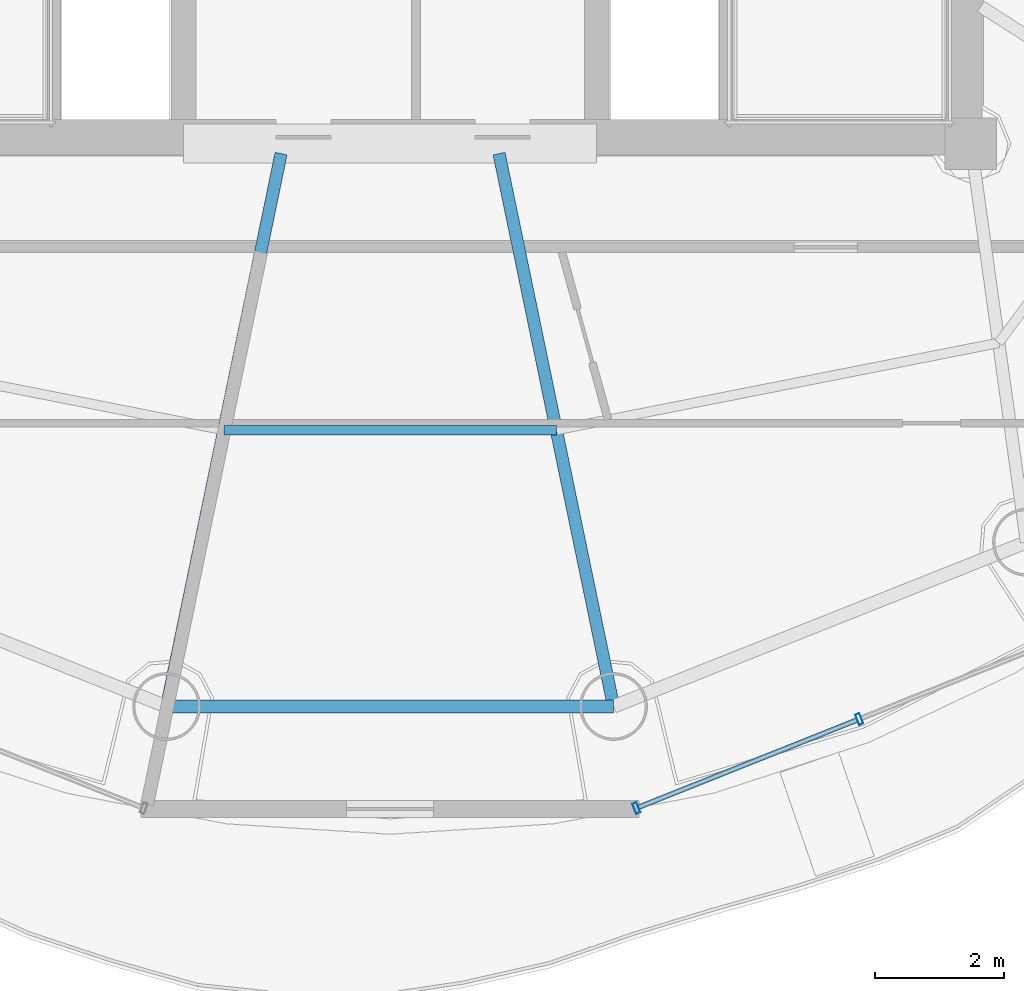
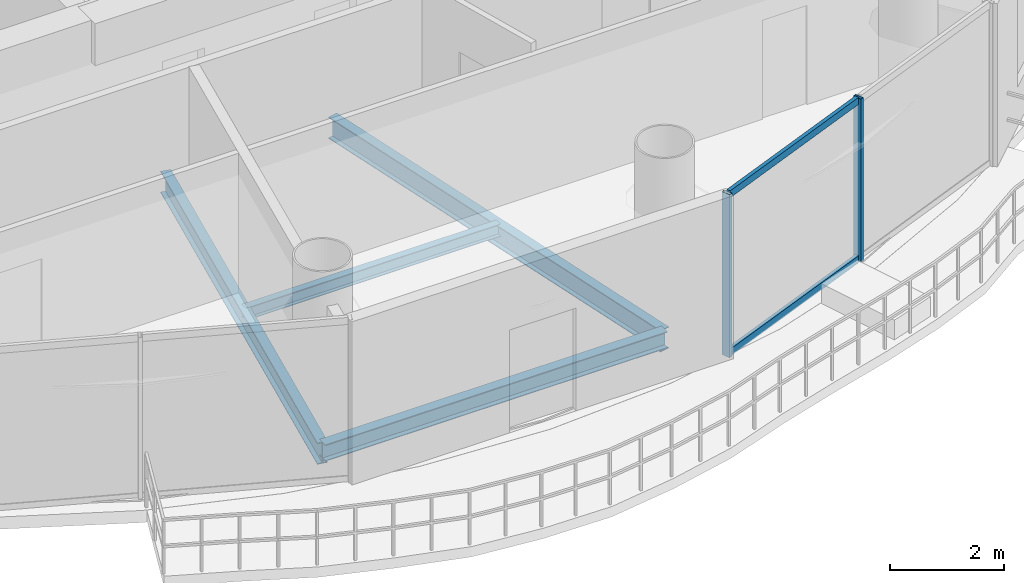
# One storey, part 4 of 21: 4 beams, 4 members, 1 element without a shape of its own.
"""IFC4 building model written with IfcOpenShell, lengths in metres."""

from ifc_helpers import new_model, si_unit, direction, frame, origin, origin_2d, place, context, subcontext, project, spatial, hollow_rectangle, i_section, extrude, source, transform, mapped, material, material_profile, profile_set, type_object, element, aggregate, save


model = new_model("IFC4")

# Units and contexts
model_context = context("Model", 3, precision=1e-05, world=origin(), true_north=direction((-0.2419218956, 0.970295726276)))
body_context = subcontext(model_context, "Body", "Model", "MODEL_VIEW")
ifc_project = project(units=[si_unit("LENGTHUNIT", "METRE"), si_unit("AREAUNIT", "SQUARE_METRE"), si_unit("VOLUMEUNIT", "CUBIC_METRE"), si_unit("PLANEANGLEUNIT", "RADIAN"), si_unit("MASSUNIT", "GRAM", prefix="KILO")], contexts=[model_context])

# Site, building, storey
site_placement = place(None, origin())
site = spatial("IfcSite", under=ifc_project, at=site_placement, CompositionType="ELEMENT")
building_placement = place(site_placement, origin())
building = spatial("IfcBuilding", under=site, at=building_placement, Name="Cobrevalo Terracotta Tower", CompositionType="ELEMENT")
storey_placement = place(building_placement, frame((0.0, 0.0, 285.699951171875)))
storey = spatial("IfcBuildingStorey", under=building, at=storey_placement, Name="L75", CompositionType="ELEMENT", Elevation=285.699951171875)

# Beams
ifc_material_1 = material(Name="Steel S355", Category="steel")
ifc_material_profile_1 = material_profile(ifc_material_1, i_section(OverallWidth=0.19091796875, OverallDepth=0.4599609375, WebThickness=0.010009765625, FlangeThickness=0.01611328125, at=origin_2d()), Name="W 460x82")
ifc_profile_set_1 = profile_set([ifc_material_profile_1], Name="Steel S355")
beam_type_1 = type_object("IfcBeamType", Name="Structural Beam W 460x82 (Steel S355)", PredefinedType="BEAM", material=ifc_profile_set_1)
for number, where, z_axis, x_axis, name in (
    (1, (34.537109375, 10.07763671875, -0.489990234375), (0.202781841237, 0.9792239401, 0.0), (-0.9792239401, 0.202781841237, 0.0), "L75 radial floor girder 12"),
    (2, (41.462890625, 10.07763671875, -0.489990234375), (-0.202781841237, 0.9792239401, 0.0), (-0.9792239401, -0.202781841237, 0.0), "L75 radial floor girder 13"),
):
    element("IfcBeam", number, at=place(storey_placement, frame(where, z_axis=z_axis, x_axis=x_axis)), inside=storey, type_object=beam_type_1, Name=name, PredefinedType="BEAM", context=body_context, shape_type="SweptSolid", body=[
        extrude(i_section(OverallWidth=0.19091796875, OverallDepth=0.4599609375, WebThickness=0.010009765625, FlangeThickness=0.01611328125, at=origin_2d()), origin(), (0.0, 0.0, 1.0), 8.749267578125),
    ])
ifc_material_profile_2 = material_profile(ifc_material_1, i_section(OverallWidth=0.14794921875, OverallDepth=0.26611328125, WebThickness=0.007568359375, FlangeThickness=0.012939453125, at=origin_2d()), Name="W 250x44.8")
ifc_profile_set_2 = profile_set([ifc_material_profile_2], Name="Steel S355")
beam_type_2 = type_object("IfcBeamType", Name="Structural Joist W 250x44.8 (Steel S355)", PredefinedType="JOIST", material=ifc_profile_set_2)
beam_1_placement = place(storey_placement, frame((35.42431640625, 14.361328125, -0.39306640625), z_axis=(1.0, 0.0, 0.0), x_axis=(0.0, 1.0, 0.0)))
element("IfcBeam", 3, at=beam_1_placement, inside=storey, type_object=beam_type_2, Name="L75 circumferential secondary floor joist 12", PredefinedType="JOIST", context=body_context, shape_type="SweptSolid", body=[
    extrude(i_section(OverallWidth=0.14794921875, OverallDepth=0.26611328125, WebThickness=0.007568359375, FlangeThickness=0.012939453125, at=origin_2d()), origin(), (0.0, 0.0, 1.0), 5.1513671875),
])
ifc_material_profile_3 = material_profile(ifc_material_1, i_section(OverallWidth=0.205078125, OverallDepth=0.35400390625, WebThickness=0.009521484375, FlangeThickness=0.016845703125, at=origin_2d()), Name="W 360x79")
ifc_profile_set_3 = profile_set([ifc_material_profile_3], Name="Steel S355")
beam_type_3 = type_object("IfcBeamType", Name="Structural Spandrel W 360x79 (Steel S355)", PredefinedType="SPANDREL", material=ifc_profile_set_3)
beam_2_placement = place(storey_placement, frame((34.537109375, 10.07763671875, -0.43701171875), z_axis=(1.0, 0.0, 0.0), x_axis=(0.0, 1.0, 0.0)))
element("IfcBeam", 4, at=beam_2_placement, inside=storey, type_object=beam_type_3, Name="L75 perimeter ring spandrel 12", PredefinedType="SPANDREL", context=body_context, shape_type="SweptSolid", body=[
    extrude(i_section(OverallWidth=0.205078125, OverallDepth=0.35400390625, WebThickness=0.009521484375, FlangeThickness=0.016845703125, at=origin_2d()), origin(), (0.0, 0.0, 1.0), 6.92578125),
])

# Curtain wall, members
ifc_material_2 = material(Name="Anodized aluminium", Category="aluminium")
curtain_wall_type = type_object("IfcCurtainWallType", Name="Upper-tower triple-glazed penthouse curtain wall CW-U3", PredefinedType="NOTDEFINED", material=ifc_material_2)
curtain_wall_placement = place(storey_placement, origin())
curtain_wall = element("IfcCurtainWall", 5, at=curtain_wall_placement, inside=storey, type_object=curtain_wall_type, Name="L75 curtain wall CW-L75-S13", PredefinedType="NOTDEFINED")
ifc_material_profile_4 = material_profile(ifc_material_2, hollow_rectangle(XDim=0.070068359375, YDim=0.169921875, WallThickness=0.00439453125, at=origin_2d()), Name="CWM 70x170")
ifc_profile_set_4 = profile_set([ifc_material_profile_4], Name="Anodized aluminium")
member_type_1 = type_object("IfcMemberType", Name="Upper tower unitised mullion 70x170", PredefinedType="MULLION", material=ifc_profile_set_4)
shared_shape_1 = source(origin(), body_context, "Body", "SweptSolid", [
    extrude(hollow_rectangle(XDim=0.070068359375, YDim=0.169921875, WallThickness=0.00439453125, at=origin_2d()), origin(), (0.0, 0.0, 1.0), 3.489990234375),
])
member_1_placement = place(storey_placement, frame((41.816162109375, 8.503662109375, 0.0), z_axis=(0.0, 0.0, 1.0), x_axis=(0.928718980883, 0.370784377433, 0.0)))
member_1 = element("IfcMember", 6, at=member_1_placement, type_object=member_type_1, Name="CW-L75-S13 vertical mullion 01", PredefinedType="MULLION", context=body_context, shape_type="MappedRepresentation", body=[
    mapped(shared_shape_1, transform((0.0, 0.0, 0.0), scale=1.0)),
])
member_2_placement = place(storey_placement, frame((45.270263671875, 9.882568359375, 0.0), z_axis=(0.0, 0.0, 1.0), x_axis=(0.928718980883, 0.370784377433, 0.0)))
member_2 = element("IfcMember", 7, at=member_2_placement, type_object=member_type_1, Name="CW-L75-S13 vertical mullion 02", PredefinedType="MULLION", context=body_context, shape_type="MappedRepresentation", body=[
    mapped(shared_shape_1, transform((0.0, 0.0, 0.0), scale=1.0)),
])
ifc_material_profile_5 = material_profile(ifc_material_2, hollow_rectangle(XDim=0.074951171875, YDim=0.14990234375, WallThickness=0.00439453125, at=origin_2d()), Name="CWT 75x150")
ifc_profile_set_5 = profile_set([ifc_material_profile_5], Name="Anodized aluminium")
member_type_2 = type_object("IfcMemberType", Name="Tower unitised aluminium transom 75x150", PredefinedType="USERDEFINED", material=ifc_profile_set_5)
shared_shape_2 = source(origin(), body_context, "Body", "SweptSolid", [
    extrude(hollow_rectangle(XDim=0.074951171875, YDim=0.14990234375, WallThickness=0.00439453125, at=origin_2d()), origin(), (0.0, 0.0, 1.0), 3.63916015625),
])
member_3_placement = place(storey_placement, frame((41.853271484375, 8.518310546875, 0.050048828125), z_axis=(0.928712471544, 0.370800681227, 0.0), x_axis=(-0.370800681227, 0.928712471544, 0.0)))
member_3 = element("IfcMember", 8, at=member_3_placement, type_object=member_type_2, Name="CW-L75-S13 transom B01-T1", ObjectType="TRANSOM", PredefinedType="USERDEFINED", context=body_context, shape_type="MappedRepresentation", body=[
    mapped(shared_shape_2, transform((0.0, 0.0, 0.0), scale=1.0)),
])
member_4_placement = place(storey_placement, frame((41.853271484375, 8.518310546875, 3.43994140625), z_axis=(0.928712471544, 0.370800681227, 0.0), x_axis=(-0.370800681227, 0.928712471544, 0.0)))
member_4 = element("IfcMember", 9, at=member_4_placement, type_object=member_type_2, Name="CW-L75-S13 transom B01-T2", ObjectType="TRANSOM", PredefinedType="USERDEFINED", context=body_context, shape_type="MappedRepresentation", body=[
    mapped(shared_shape_2, transform((0.0, 0.0, 0.0), scale=1.0)),
])
aggregate(curtain_wall, [member_1, member_2, member_3, member_4])

save(model, "model.ifc")
